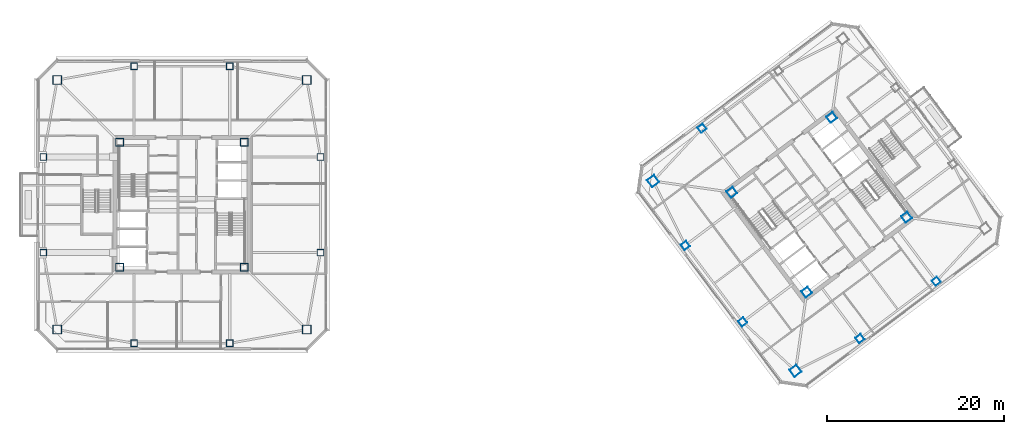
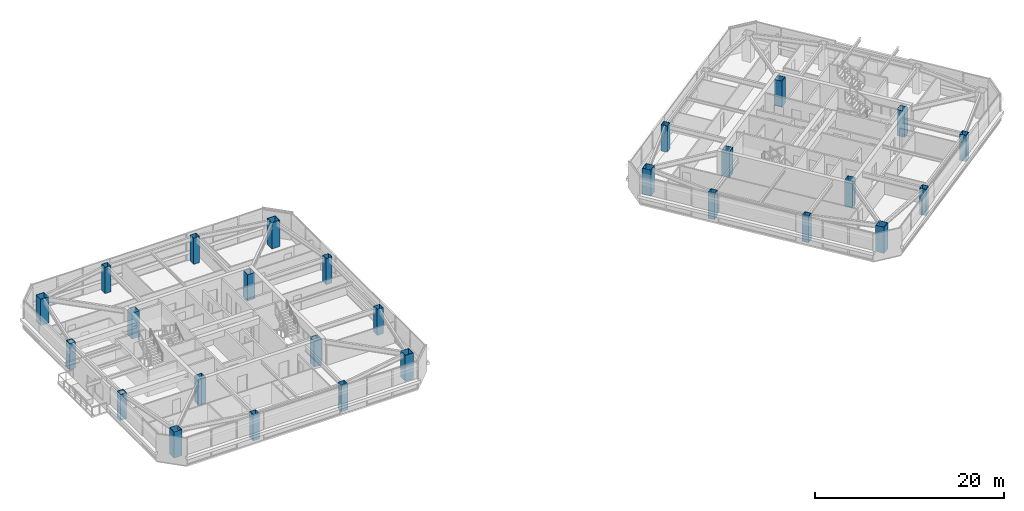
# One storey, part 1 of 39: 27 columns.
"""IFC4 building model written with IfcOpenShell, lengths in metres."""

from ifc_helpers import new_model, si_unit, direction, frame, origin, origin_2d, place, context, subcontext, project, spatial, hollow_rectangle, extrude, material, material_profile, profile_set, type_object, element, save


model = new_model("IFC4")

# Units and contexts
model_context = context("Model", 3, precision=1e-05, world=origin(), true_north=direction((0.0, 1.0)))
body_context = subcontext(model_context, "Body", "Model", "MODEL_VIEW")
ifc_project = project(units=[si_unit("LENGTHUNIT", "METRE"), si_unit("AREAUNIT", "SQUARE_METRE"), si_unit("VOLUMEUNIT", "CUBIC_METRE"), si_unit("PLANEANGLEUNIT", "RADIAN"), si_unit("MASSUNIT", "GRAM", prefix="KILO")], contexts=[model_context])

# Site, building, storey
site_placement = place(None, origin())
site = spatial("IfcSite", under=ifc_project, at=site_placement, CompositionType="ELEMENT")
building_placement = place(site_placement, origin())
building = spatial("IfcBuilding", under=site, at=building_placement, Name="Tashvorn Skyway Center", CompositionType="ELEMENT")
storey_placement = place(building_placement, frame((0.0, 0.0, 214.85009765625)))
storey = spatial("IfcBuildingStorey", under=building, at=storey_placement, Name="L58", CompositionType="ELEMENT", Elevation=214.85009765625)

# Columns
ifc_material = material(Name="Steel ASTM A572 Grade 50", Category="steel")
ifc_material_profile_1 = material_profile(ifc_material, hollow_rectangle(XDim=1.0, YDim=1.0, WallThickness=0.0400390625, at=origin_2d()), Name="BOX1000x1000x40")
ifc_profile_set_1 = profile_set([ifc_material_profile_1], Name="Steel ASTM A572 Grade 50")
column_type_1 = type_object("IfcColumnType", Name="COL-BOX1000x1000x40", PredefinedType="COLUMN", material=ifc_profile_set_1)
for number, where, z_axis, x_axis, name in (
    (1, (27.89990234375, 17.89990234375, 0.0), (0.0, 0.0, 1.0), (1.0, 0.0, 0.0), "Tower 1 L58 Mega-Column MC-SW"),
    (2, (56.10009765625, 17.89990234375, 0.0), (0.0, 0.0, 1.0), (1.0, 0.0, 0.0), "Tower 1 L58 Mega-Column MC-SE"),
    (3, (56.10009765625, 46.10009765625, 0.0), (0.0, 0.0, 1.0), (1.0, 0.0, 0.0), "Tower 1 L58 Mega-Column MC-NE"),
    (4, (27.89990234375, 46.10009765625, 0.0), (0.0, 0.0, 1.0), (1.0, 0.0, 0.0), "Tower 1 L58 Mega-Column MC-NW"),
    (5, (111.320068359375, 13.239990234375, 0.0), (0.0, 0.0, 1.0), (0.799999996291, 0.600000004945, 0.0), "Tower 2 L58 Mega-Column MC-SW"),
    (6, (95.239990234375, 34.679931640625, 0.0), (0.0, 0.0, 1.0), (0.799999996291, 0.600000004945, 0.0), "Tower 2 L58 Mega-Column MC-NW"),
):
    element("IfcColumn", number, at=place(storey_placement, frame(where, z_axis=z_axis, x_axis=x_axis)), inside=storey, type_object=column_type_1, Name=name, PredefinedType="COLUMN", context=body_context, shape_type="SweptSolid", body=[
        extrude(hollow_rectangle(XDim=1.0, YDim=1.0, WallThickness=0.0400390625, at=origin_2d()), origin(), (0.0, 0.0, 1.0), 3.369873046875),
    ])
ifc_material_profile_2 = material_profile(ifc_material, hollow_rectangle(XDim=0.75, YDim=0.75, WallThickness=0.031982421875, at=origin_2d()), Name="BOX750x750x32")
ifc_profile_set_2 = profile_set([ifc_material_profile_2], Name="Steel ASTM A572 Grade 50")
column_type_2 = type_object("IfcColumnType", Name="COL-BOX750x750x32", PredefinedType="COLUMN", material=ifc_profile_set_2)
for number, where, z_axis, x_axis, name in (
    (7, (36.60009765625, 16.35009765625, 0.0), (0.0, 0.0, 1.0), (1.0, 0.0, 0.0), "Tower 1 L58 Perimeter Column FC-S1"),
    (8, (47.39990234375, 16.35009765625, 0.0), (0.0, 0.0, 1.0), (1.0, 0.0, 0.0), "Tower 1 L58 Perimeter Column FC-S2"),
    (9, (57.64990234375, 26.60009765625, 0.0), (0.0, 0.0, 1.0), (1.0, 0.0, 0.0), "Tower 1 L58 Perimeter Column FC-E1"),
    (10, (57.64990234375, 37.39990234375, 0.0), (0.0, 0.0, 1.0), (1.0, 0.0, 0.0), "Tower 1 L58 Perimeter Column FC-E2"),
    (11, (47.39990234375, 47.64990234375, 0.0), (0.0, 0.0, 1.0), (1.0, 0.0, 0.0), "Tower 1 L58 Perimeter Column FC-N1"),
    (12, (36.60009765625, 47.64990234375, 0.0), (0.0, 0.0, 1.0), (1.0, 0.0, 0.0), "Tower 1 L58 Perimeter Column FC-N2"),
    (13, (26.35009765625, 37.39990234375, 0.0), (0.0, 0.0, 1.0), (1.0, 0.0, 0.0), "Tower 1 L58 Perimeter Column FC-W1"),
    (14, (26.35009765625, 26.60009765625, 0.0), (0.0, 0.0, 1.0), (1.0, 0.0, 0.0), "Tower 1 L58 Perimeter Column FC-W2"),
    (15, (118.590087890625, 16.8798828125, 0.0), (0.0, 0.0, 1.0), (0.799999996291, 0.600000004945, 0.0), "Tower 2 L58 Perimeter Column FC-S1"),
    (16, (127.22998046875, 23.360107421875, 0.0), (0.0, 0.0, 1.0), (0.799999996291, 0.600000004945, 0.0), "Tower 2 L58 Perimeter Column FC-S2"),
    (17, (100.77001953125, 40.639892578125, 0.0), (0.0, 0.0, 1.0), (0.799999996291, 0.600000004945, 0.0), "Tower 2 L58 Perimeter Column FC-N2"),
    (18, (98.8798828125, 27.409912109375, 0.0), (0.0, 0.0, 1.0), (0.799999996291, 0.600000004945, 0.0), "Tower 2 L58 Perimeter Column FC-W1"),
    (19, (105.360107421875, 18.77001953125, 0.0), (0.0, 0.0, 1.0), (0.799999996291, 0.600000004945, 0.0), "Tower 2 L58 Perimeter Column FC-W2"),
):
    element("IfcColumn", number, at=place(storey_placement, frame(where, z_axis=z_axis, x_axis=x_axis)), inside=storey, type_object=column_type_2, Name=name, PredefinedType="COLUMN", context=body_context, shape_type="SweptSolid", body=[
        extrude(hollow_rectangle(XDim=0.75, YDim=0.75, WallThickness=0.031982421875, at=origin_2d()), origin(), (0.0, 0.0, 1.0), 3.369873046875),
    ])
ifc_material_profile_3 = material_profile(ifc_material, hollow_rectangle(XDim=0.89990234375, YDim=0.89990234375, WallThickness=0.0400390625, at=origin_2d()), Name="BOX900x900x40")
ifc_profile_set_3 = profile_set([ifc_material_profile_3], Name="Steel ASTM A572 Grade 50")
column_type_3 = type_object("IfcColumnType", Name="COL-BOX900x900x40", PredefinedType="COLUMN", material=ifc_profile_set_3)
for number, where, z_axis, x_axis, name in (
    (20, (34.949951171875, 24.949951171875, 0.0), (0.0, 0.0, 1.0), (1.0, 0.0, 0.0), "Tower 1 L58 Core Corner Column CC-SW"),
    (21, (49.050048828125, 24.949951171875, 0.0), (0.0, 0.0, 1.0), (1.0, 0.0, 0.0), "Tower 1 L58 Core Corner Column CC-SE"),
    (22, (49.050048828125, 39.050048828125, 0.0), (0.0, 0.0, 1.0), (1.0, 0.0, 0.0), "Tower 1 L58 Core Corner Column CC-NE"),
    (23, (34.949951171875, 39.050048828125, 0.0), (0.0, 0.0, 1.0), (1.0, 0.0, 0.0), "Tower 1 L58 Core Corner Column CC-NW"),
    (24, (112.590087890625, 22.1298828125, 0.0), (0.0, 0.0, 1.0), (0.799999996291, 0.600000004945, 0.0), "Tower 2 L58 Core Corner Column CC-SW"),
    (25, (123.8701171875, 30.590087890625, 0.0), (0.0, 0.0, 1.0), (0.799999996291, 0.600000004945, 0.0), "Tower 2 L58 Core Corner Column CC-SE"),
    (26, (115.409912109375, 41.8701171875, 0.0), (0.0, 0.0, 1.0), (0.799999996291, 0.600000004945, 0.0), "Tower 2 L58 Core Corner Column CC-NE"),
    (27, (104.1298828125, 33.409912109375, 0.0), (0.0, 0.0, 1.0), (0.799999996291, 0.600000004945, 0.0), "Tower 2 L58 Core Corner Column CC-NW"),
):
    element("IfcColumn", number, at=place(storey_placement, frame(where, z_axis=z_axis, x_axis=x_axis)), inside=storey, type_object=column_type_3, Name=name, PredefinedType="COLUMN", context=body_context, shape_type="SweptSolid", body=[
        extrude(hollow_rectangle(XDim=0.89990234375, YDim=0.89990234375, WallThickness=0.0400390625, at=origin_2d()), origin(), (0.0, 0.0, 1.0), 3.369873046875),
    ])

save(model, "model.ifc")
